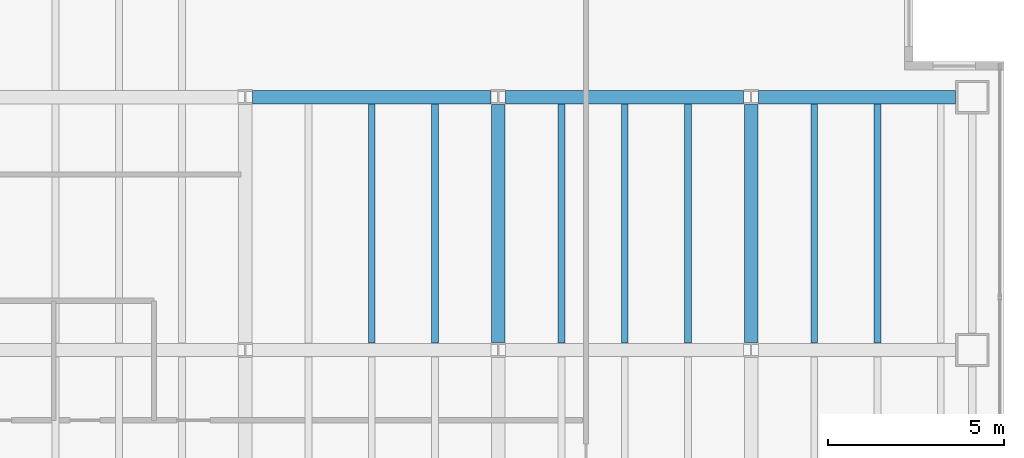
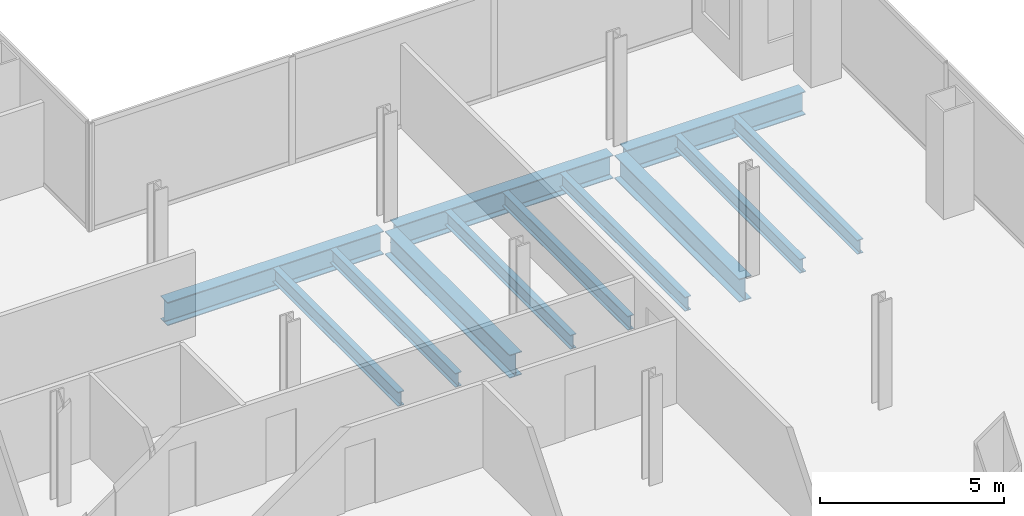
# One storey, part 11 of 23: 12 beams.
"""IFC4 building model written with IfcOpenShell, lengths in metres."""

from ifc_helpers import new_model, si_unit, direction, frame, origin, origin_2d, place, context, subcontext, project, spatial, i_section, extrude, material, material_profile, profile_set, type_object, element, save


model = new_model("IFC4")

# Units and contexts
model_context = context("Model", 3, precision=1e-05, world=origin(), true_north=direction((0.0, 1.0)))
body_context = subcontext(model_context, "Body", "Model", "MODEL_VIEW")
ifc_project = project(units=[si_unit("LENGTHUNIT", "METRE"), si_unit("AREAUNIT", "SQUARE_METRE"), si_unit("VOLUMEUNIT", "CUBIC_METRE"), si_unit("PLANEANGLEUNIT", "RADIAN"), si_unit("MASSUNIT", "GRAM", prefix="KILO")], contexts=[model_context])

# Site, building, storey
site_placement = place(None, origin())
site = spatial("IfcSite", under=ifc_project, at=site_placement, CompositionType="ELEMENT")
building_placement = place(site_placement, origin())
building = spatial("IfcBuilding", under=site, at=building_placement, Name="Cobrela Telecom Tower", CompositionType="ELEMENT")
storey_placement = place(building_placement, frame((0.0, 0.0, 88.89990234375)))
storey = spatial("IfcBuildingStorey", under=building, at=storey_placement, Name="L22", CompositionType="ELEMENT", Elevation=88.89990234375)

# Beams
ifc_material = material(Name="Steel ASTM A992 Grade 50", Category="steel")
ifc_material_profile_1 = material_profile(ifc_material, i_section(OverallWidth=0.381103515625, OverallDepth=0.77197265625, WebThickness=0.0166015625, FlangeThickness=0.027099609375, FilletRadius=0.01904296875, at=origin_2d()), Name="W30X173")
ifc_profile_set_1 = profile_set([ifc_material_profile_1], Name="Steel ASTM A992 Grade 50")
beam_type_1 = type_object("IfcBeamType", Name="BM-GIRD-04", PredefinedType="USERDEFINED", material=ifc_profile_set_1)
for number, where, z_axis, x_axis, name in (
    (1, (29.009521484375, 21.60009765625, -0.666015625), (1.0, 0.0, 0.0), (0.0, 1.0, 0.0), "L22 Primary Girder X20"),
    (2, (36.20947265625, 21.60009765625, -0.666015625), (1.0, 0.0, 0.0), (0.0, 1.0, 0.0), "L22 Primary Girder X21"),
):
    element("IfcBeam", number, at=place(storey_placement, frame(where, z_axis=z_axis, x_axis=x_axis)), inside=storey, type_object=beam_type_1, Name=name, ObjectType="GIRDER", PredefinedType="USERDEFINED", context=body_context, shape_type="SweptSolid", body=[
        extrude(i_section(OverallWidth=0.381103515625, OverallDepth=0.77197265625, WebThickness=0.0166015625, FlangeThickness=0.027099609375, FilletRadius=0.01904296875, at=origin_2d()), origin(), (0.0, 0.0, 1.0), 6.781005859375),
    ])
beam_placement = place(storey_placement, frame((43.409423828125, 21.60009765625, -0.666015625), z_axis=(1.0, 0.0, 0.0), x_axis=(0.0, 1.0, 0.0)))
element("IfcBeam", 3, at=beam_placement, inside=storey, type_object=beam_type_1, Name="L22 Primary Girder X22", ObjectType="GIRDER", PredefinedType="USERDEFINED", context=body_context, shape_type="SweptSolid", body=[
    extrude(i_section(OverallWidth=0.381103515625, OverallDepth=0.77197265625, WebThickness=0.0166015625, FlangeThickness=0.027099609375, FilletRadius=0.01904296875, at=origin_2d()), origin(), (0.0, 0.0, 1.0), 5.610595703125),
])
for number, where, z_axis, x_axis, name in (
    (4, (36.0, 14.609619140625, -0.666015625), (0.0, 1.0, 0.0), (-1.0, 0.0, 0.0), "L22 Primary Girder Y52"),
    (5, (43.199951171875, 14.609619140625, -0.666015625), (0.0, 1.0, 0.0), (-1.0, 0.0, 0.0), "L22 Primary Girder Y55"),
):
    element("IfcBeam", number, at=place(storey_placement, frame(where, z_axis=z_axis, x_axis=x_axis)), inside=storey, type_object=beam_type_1, Name=name, ObjectType="GIRDER", PredefinedType="USERDEFINED", context=body_context, shape_type="SweptSolid", body=[
        extrude(i_section(OverallWidth=0.381103515625, OverallDepth=0.77197265625, WebThickness=0.0166015625, FlangeThickness=0.027099609375, FilletRadius=0.01904296875, at=origin_2d()), origin(), (0.0, 0.0, 1.0), 6.78076171875),
    ])
ifc_material_profile_2 = material_profile(ifc_material, i_section(OverallWidth=0.193115234375, OverallDepth=0.467041015625, WebThickness=0.011474609375, FlangeThickness=0.01904296875, FilletRadius=0.012939453125, at=origin_2d()), Name="W18X65")
ifc_profile_set_2 = profile_set([ifc_material_profile_2], Name="Steel ASTM A992 Grade 50")
beam_type_2 = type_object("IfcBeamType", Name="BM-JOIST-03", PredefinedType="JOIST", material=ifc_profile_set_2)
for number, where, z_axis, x_axis, name in (
    (6, (32.39990234375, 14.595458984375, -0.513427734375), (0.0, 1.0, 0.0), (-1.0, 0.0, 0.0), "L22 Secondary Composite Floor Beam J46"),
    (7, (34.199951171875, 14.595458984375, -0.513427734375), (0.0, 1.0, 0.0), (-1.0, 0.0, 0.0), "L22 Secondary Composite Floor Beam J49"),
    (8, (37.800048828125, 14.595458984375, -0.513427734375), (0.0, 1.0, 0.0), (-1.0, 0.0, 0.0), "L22 Secondary Composite Floor Beam J52"),
    (9, (39.60009765625, 14.595458984375, -0.513427734375), (0.0, 1.0, 0.0), (-1.0, 0.0, 0.0), "L22 Secondary Composite Floor Beam J55"),
    (10, (41.39990234375, 14.595458984375, -0.513427734375), (0.0, 1.0, 0.0), (-1.0, 0.0, 0.0), "L22 Secondary Composite Floor Beam J58"),
    (11, (45.0, 14.595458984375, -0.513427734375), (0.0, 1.0, 0.0), (-1.0, 0.0, 0.0), "L22 Secondary Composite Floor Beam J60"),
    (12, (46.800048828125, 14.595458984375, -0.513427734375), (0.0, 1.0, 0.0), (-1.0, 0.0, 0.0), "L22 Secondary Composite Floor Beam J62"),
):
    element("IfcBeam", number, at=place(storey_placement, frame(where, z_axis=z_axis, x_axis=x_axis)), inside=storey, type_object=beam_type_2, Name=name, PredefinedType="JOIST", context=body_context, shape_type="SweptSolid", body=[
        extrude(i_section(OverallWidth=0.193115234375, OverallDepth=0.467041015625, WebThickness=0.011474609375, FlangeThickness=0.01904296875, FilletRadius=0.012939453125, at=origin_2d()), origin(), (0.0, 0.0, 1.0), 6.80908203125),
    ])

save(model, "model.ifc")
